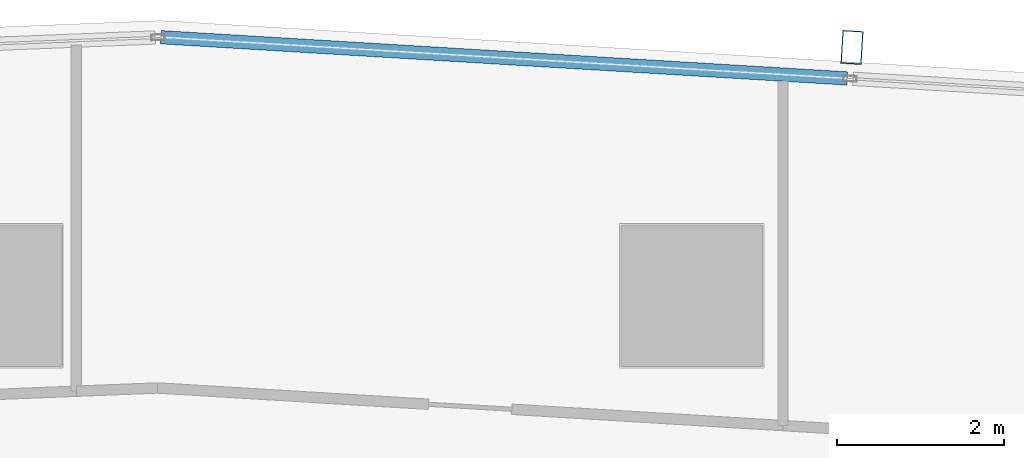
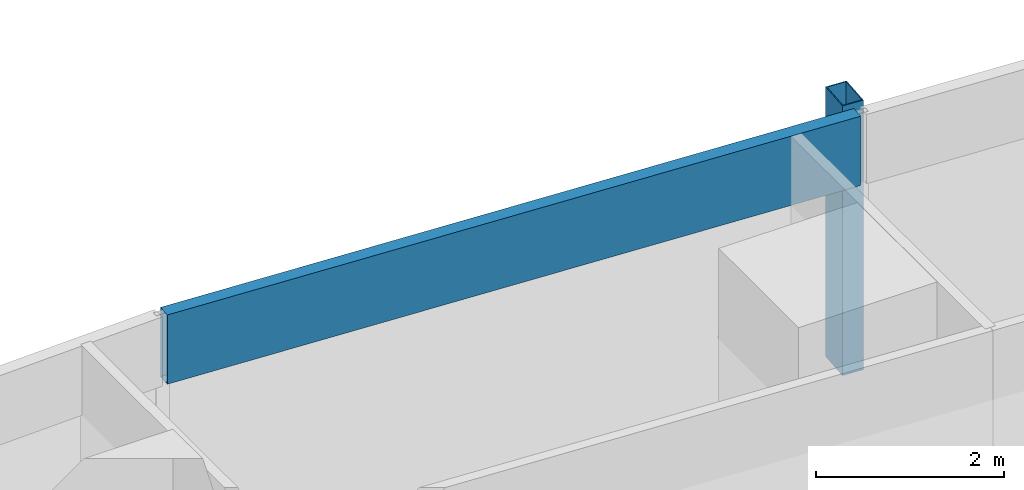
# One storey, part 22 of 40: 2 members, 1 element without a shape of its own.
"""IFC4 building model written with IfcOpenShell, lengths in metres."""

from ifc_helpers import new_model, si_unit, direction, frame, origin, origin_2d, place, context, subcontext, project, spatial, hollow_rectangle, extrude, material, material_profile, profile_set, type_object, element, aggregate, save


model = new_model("IFC4")

# Units and contexts
model_context = context("Model", 3, precision=1e-05, world=origin(), true_north=direction((0.0, 1.0)))
body_context = subcontext(model_context, "Body", "Model", "MODEL_VIEW")
ifc_project = project(units=[si_unit("LENGTHUNIT", "METRE"), si_unit("AREAUNIT", "SQUARE_METRE"), si_unit("VOLUMEUNIT", "CUBIC_METRE"), si_unit("PLANEANGLEUNIT", "RADIAN"), si_unit("MASSUNIT", "GRAM", prefix="KILO")], contexts=[model_context])

# Site, building, storey
site_placement = place(None, origin())
site = spatial("IfcSite", under=ifc_project, at=site_placement, CompositionType="ELEMENT")
building_placement = place(site_placement, origin())
building = spatial("IfcBuilding", under=site, at=building_placement, Name="Rekha Terrace Tower", CompositionType="ELEMENT")
storey_placement = place(building_placement, frame((0.0, 0.0, 121.550048828125)))
storey = spatial("IfcBuildingStorey", under=building, at=storey_placement, Name="L30", CompositionType="ELEMENT", Elevation=121.550048828125)

# Curtain wall, members
ifc_material_1 = material(Name="Aluminium framing", Category="aluminium")
curtain_wall_type = type_object("IfcCurtainWallType", Name="CW3 north unitised glazing", PredefinedType="USERDEFINED", material=ifc_material_1)
curtain_wall_placement = place(storey_placement, origin())
curtain_wall = element("IfcCurtainWall", 1, at=curtain_wall_placement, inside=storey, type_object=curtain_wall_type, Name="CW3 unitised curtain wall", ObjectType="UNITISED CURTAIN WALL", PredefinedType="USERDEFINED")
ifc_material_2 = material(Name="Steel S355 with fluorocarbon finish", Category="steel")
ifc_material_profile_1 = material_profile(ifc_material_2, hollow_rectangle(XDim=0.25, YDim=0.39990234375, WallThickness=0.012451171875, at=origin_2d()), Name="RHS400x250x12.5")
ifc_profile_set_1 = profile_set([ifc_material_profile_1], Name="Steel S355 with fluorocarbon finish")
member_type_1 = type_object("IfcMemberType", Name="BL1 facade blade RHS 400 x 250", PredefinedType="USERDEFINED", material=ifc_profile_set_1)
member_1_placement = place(storey_placement, frame((52.322265625, 61.777587890625, 0.0), z_axis=(0.0, 0.0, 1.0), x_axis=(-0.998199123409, 0.059987582268, 0.0)))
member_1 = element("IfcMember", 2, at=member_1_placement, type_object=member_type_1, Name="Facade blade", ObjectType="FACADE BLADE", PredefinedType="USERDEFINED", context=body_context, shape_type="SweptSolid", body=[
    extrude(hollow_rectangle(XDim=0.25, YDim=0.39990234375, WallThickness=0.012451171875, at=origin_2d()), origin(), (0.0, 0.0, 1.0), 3.5),
])
ifc_material_3 = material(Name="Insulated aluminium spandrel box", Category="aluminium")
ifc_material_profile_2 = material_profile(ifc_material_3, hollow_rectangle(XDim=0.159912109375, YDim=0.89990234375, WallThickness=0.0029296875, at=origin_2d()), Name="AL SPANDREL BOX 160x900")
ifc_profile_set_2 = profile_set([ifc_material_profile_2], Name="Insulated aluminium spandrel box")
member_type_2 = type_object("IfcMemberType", Name="CW3 spandrel transom 160 x 900", PredefinedType="USERDEFINED", material=ifc_profile_set_2)
member_2_placement = place(storey_placement, frame((52.2646484375, 61.4052734375, 3.050048828125), z_axis=(-0.998199102701, 0.059987926845, 0.0), x_axis=(-0.059987926845, -0.998199102701, 0.0)))
member_2 = element("IfcMember", 3, at=member_2_placement, type_object=member_type_2, Name="CW3 spandrel transom 3", ObjectType="TRANSOM", PredefinedType="USERDEFINED", context=body_context, shape_type="SweptSolid", body=[
    extrude(hollow_rectangle(XDim=0.159912109375, YDim=0.89990234375, WallThickness=0.0029296875, at=origin_2d()), origin(), (0.0, 0.0, 1.0), 8.241455078125),
])
aggregate(curtain_wall, [member_2, member_1])

save(model, "model.ifc")
